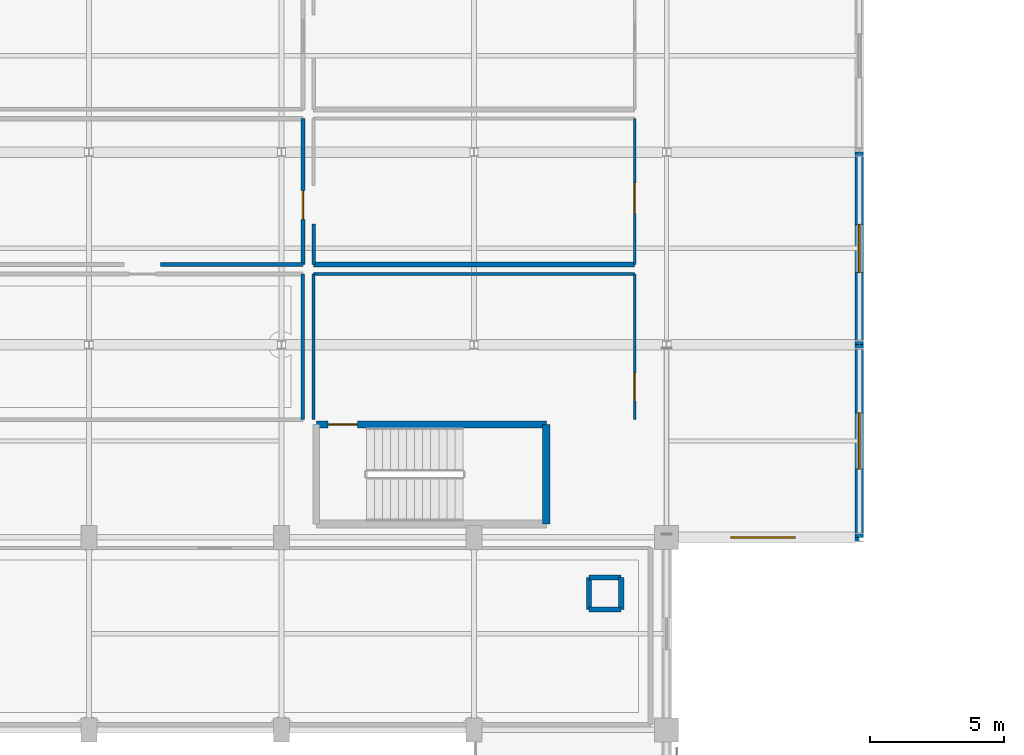
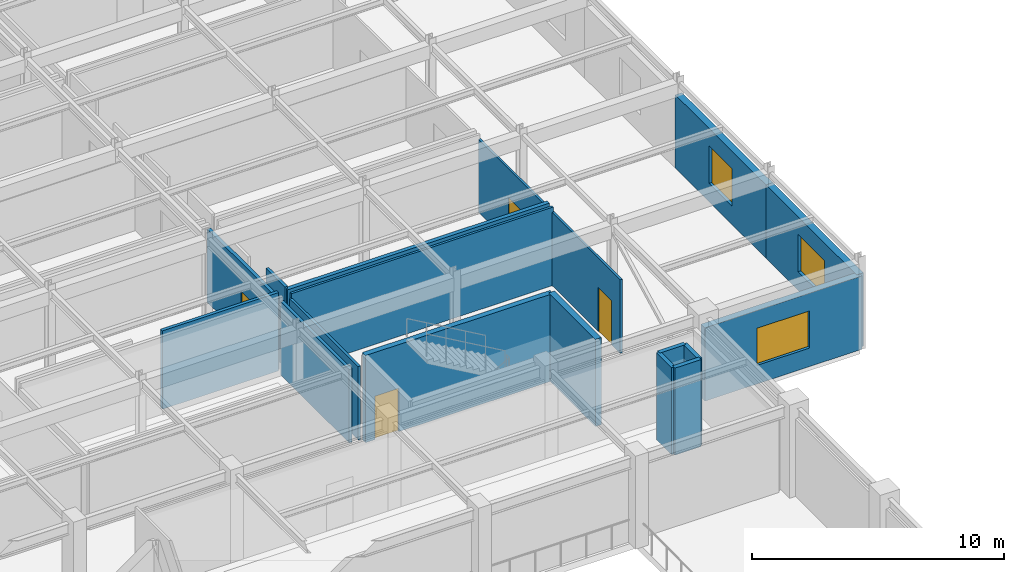
# One storey, part 74 of 106: 18 walls, 4 doors, 3 windows, 7 openings.
"""IFC4 building model written with IfcOpenShell, lengths in metres."""

from ifc_helpers import new_model, si_unit, direction, frame, frame_2d, origin, place, context, subcontext, project, spatial, rectangle, extrude, material, layer, layer_set, type_object, element, fill, save


model = new_model("IFC4")

# Units and contexts
model_context = context("Model", 3, precision=1e-05, world=origin(), true_north=direction((0.0, 1.0)))
body_context = subcontext(model_context, "Body", "Model", "MODEL_VIEW")
ifc_project = project(units=[si_unit("LENGTHUNIT", "METRE"), si_unit("AREAUNIT", "SQUARE_METRE"), si_unit("VOLUMEUNIT", "CUBIC_METRE"), si_unit("PLANEANGLEUNIT", "RADIAN"), si_unit("MASSUNIT", "GRAM", prefix="KILO")], contexts=[model_context])

# Site, building, storey
site_placement = place(None, origin())
site = spatial("IfcSite", under=ifc_project, at=site_placement, CompositionType="ELEMENT")
building_placement = place(site_placement, origin())
building = spatial("IfcBuilding", under=site, at=building_placement, Name="Carrowvane Square Congress Hotel", CompositionType="ELEMENT")
storey_placement = place(building_placement, frame((0.0, 0.0, 10.5)))
storey = spatial("IfcBuildingStorey", under=building, at=storey_placement, Name="L02", CompositionType="ELEMENT", Elevation=10.5)

# Wall, opening, window
ifc_material_1 = material(Name="Standing-seam zinc cladding", Category="metal")
ifc_layer_1 = layer(ifc_material_1, 0.31005859375)
ifc_layer_set_1 = layer_set([ifc_layer_1], Name="Standing-seam zinc cladding")
wall_type_1 = type_object("IfcWallType", Name="WL-EXT-ZN310", PredefinedType="STANDARD", material=ifc_layer_set_1)
wall_1_placement = place(storey_placement, frame((69.199951171875, 70.199951171875, 0.0), z_axis=(0.0, 0.0, 1.0), x_axis=(0.0, -1.0, 0.0)))
wall_1 = element("IfcWall", 1, at=wall_1_placement, inside=storey, type_object=wall_type_1, Name="L02 exterior facade wall 326", PredefinedType="STANDARD", context=body_context, shape_type="SweptSolid", body=[
    extrude(rectangle(XDim=7.199951171875, YDim=0.31005859375, at=frame_2d((3.60009765625, 0.0))), origin(), (0.0, 0.0, 1.0), 3.554931640625),
])
opening_1_placement = place(wall_1_placement, frame((2.699951171875, 0.0, 0.89990234375)))
opening_1 = element("IfcOpeningElement", 2, at=opening_1_placement, cuts=wall_1, Name="Opening W-05", PredefinedType="OPENING", context=body_context, shape_type="SweptSolid", body=[
    extrude(rectangle(XDim=1.800048828125, YDim=1.800048828125, at=frame_2d((0.89990234375, 0.89990234375))), frame((0.0, 0.1650390625, 0.0), z_axis=(0.0, -1.0, 0.0), x_axis=(1.0, 0.0, 0.0)), (0.0, 0.0, 1.0), 0.330078125),
])
ifc_material_2 = material(Name="Double-glazed low-E glass", Category="glass")
window_type_1 = type_object("IfcWindowType", Name="WIN-05", PartitioningType="SINGLE_PANEL", PredefinedType="WINDOW", material=ifc_material_2)
window_1_placement = place(opening_1_placement, origin())
window_1 = element("IfcWindow", 3, at=window_1_placement, inside=storey, type_object=window_type_1, Name="L02 facade window 153", OverallHeight=1.800048828125, OverallWidth=1.800048828125, PartitioningType="SINGLE_PANEL", PredefinedType="WINDOW", context=body_context, shape_type="SweptSolid", body=[
    extrude(rectangle(XDim=1.800048828125, YDim=1.800048828125, at=frame_2d((0.89990234375, 0.89990234375))), frame((0.0, 0.030029296875, 0.0), z_axis=(0.0, -1.0, 0.0), x_axis=(1.0, 0.0, 0.0)), (0.0, 0.0, 1.0), 0.06005859375),
])
fill(opening_1, window_1)

wall_2_placement = place(storey_placement, frame((69.199951171875, 63.0, 0.0), z_axis=(0.0, 0.0, 1.0), x_axis=(0.0, -1.0, 0.0)))
wall_2 = element("IfcWall", 4, at=wall_2_placement, inside=storey, type_object=wall_type_1, Name="L02 exterior facade wall 327", PredefinedType="STANDARD", context=body_context, shape_type="SweptSolid", body=[
    extrude(rectangle(XDim=7.199951171875, YDim=0.31005859375, at=frame_2d((3.60009765625, 0.0))), origin(), (0.0, 0.0, 1.0), 3.554931640625),
])
opening_2_placement = place(wall_2_placement, frame((2.550048828125, 0.0, 0.89990234375)))
opening_2 = element("IfcOpeningElement", 5, at=opening_2_placement, cuts=wall_2, Name="Opening W-06", PredefinedType="OPENING", context=body_context, shape_type="SweptSolid", body=[
    extrude(rectangle(XDim=2.10009765625, YDim=1.800048828125, at=frame_2d((1.050048828125, 0.89990234375))), frame((0.0, 0.1650390625, 0.0), z_axis=(0.0, -1.0, 0.0), x_axis=(1.0, 0.0, 0.0)), (0.0, 0.0, 1.0), 0.330078125),
])
ifc_material_3 = material(Name="Double-glazed low-E glass", Category="glass")
window_type_2 = type_object("IfcWindowType", Name="WIN-06", PartitioningType="SINGLE_PANEL", PredefinedType="WINDOW", material=ifc_material_3)
window_2_placement = place(opening_2_placement, origin())
window_2 = element("IfcWindow", 6, at=window_2_placement, inside=storey, type_object=window_type_2, Name="L02 facade window 154", OverallHeight=1.800048828125, OverallWidth=2.10009765625, PartitioningType="SINGLE_PANEL", PredefinedType="WINDOW", context=body_context, shape_type="SweptSolid", body=[
    extrude(rectangle(XDim=2.10009765625, YDim=1.800048828125, at=frame_2d((1.050048828125, 0.89990234375))), frame((0.0, 0.030029296875, 0.0), z_axis=(0.0, -1.0, 0.0), x_axis=(1.0, 0.0, 0.0)), (0.0, 0.0, 1.0), 0.06005859375),
])
fill(opening_2, window_2)

wall_3_placement = place(storey_placement, frame((69.199951171875, 55.800048828125, 0.0), z_axis=(0.0, 0.0, 1.0), x_axis=(-1.0, 0.0, 0.0)))
wall_3 = element("IfcWall", 7, at=wall_3_placement, inside=storey, type_object=wall_type_1, Name="L02 exterior facade wall 328", PredefinedType="STANDARD", context=body_context, shape_type="SweptSolid", body=[
    extrude(rectangle(XDim=7.199951171875, YDim=0.31005859375, at=frame_2d((3.60009765625, 0.0))), origin(), (0.0, 0.0, 1.0), 3.554931640625),
])
opening_3_placement = place(wall_3_placement, frame((2.39990234375, 0.0, 0.89990234375)))
opening_3 = element("IfcOpeningElement", 8, at=opening_3_placement, cuts=wall_3, Name="Opening W-07", PredefinedType="OPENING", context=body_context, shape_type="SweptSolid", body=[
    extrude(rectangle(XDim=2.39990234375, YDim=1.800048828125, at=frame_2d((1.199951171875, 0.89990234375))), frame((0.0, 0.1650390625, 0.0), z_axis=(0.0, -1.0, 0.0), x_axis=(1.0, 0.0, 0.0)), (0.0, 0.0, 1.0), 0.330078125),
])
ifc_material_4 = material(Name="Double-glazed low-E glass", Category="glass")
window_type_3 = type_object("IfcWindowType", Name="WIN-07", PartitioningType="SINGLE_PANEL", PredefinedType="WINDOW", material=ifc_material_4)
window_3_placement = place(opening_3_placement, origin())
window_3 = element("IfcWindow", 9, at=window_3_placement, inside=storey, type_object=window_type_3, Name="L02 facade window 155", OverallHeight=1.800048828125, OverallWidth=2.39990234375, PartitioningType="SINGLE_PANEL", PredefinedType="WINDOW", context=body_context, shape_type="SweptSolid", body=[
    extrude(rectangle(XDim=2.39990234375, YDim=1.800048828125, at=frame_2d((1.199951171875, 0.89990234375))), frame((0.0, 0.030029296875, 0.0), z_axis=(0.0, -1.0, 0.0), x_axis=(1.0, 0.0, 0.0)), (0.0, 0.0, 1.0), 0.06005859375),
])
fill(opening_3, window_3)

# Wall, opening, door
ifc_material_5 = material(Name="Acoustic gypsum board", Category="gypsum")
ifc_layer_2 = layer(ifc_material_5, 0.155029296875)
ifc_layer_set_2 = layer_set([ifc_layer_2], Name="Acoustic gypsum board")
wall_type_2 = type_object("IfcWallType", Name="WL-FIR-155", PredefinedType="PARTITIONING", material=ifc_layer_set_2)
wall_4_placement = place(storey_placement, frame((48.39990234375, 71.449951171875, 0.0), z_axis=(0.0, 0.0, 1.0), x_axis=(0.0, -1.0, 0.0)))
wall_4 = element("IfcWall", 10, at=wall_4_placement, inside=storey, type_object=wall_type_2, Name="L02 Holistic Spa Suite 203 partition", PredefinedType="PARTITIONING", context=body_context, shape_type="SweptSolid", body=[
    extrude(rectangle(XDim=5.449951171875, YDim=0.155029296875, at=frame_2d((2.72509765625, 0.0))), origin(), (0.0, 0.0, 1.0), 3.554931640625),
])
opening_4_placement = place(wall_4_placement, frame((2.68505859375, 0.0, 0.0)))
opening_4 = element("IfcOpeningElement", 11, at=opening_4_placement, cuts=wall_4, Name="Opening ID-08", PredefinedType="OPENING", context=body_context, shape_type="SweptSolid", body=[
    extrude(rectangle(XDim=1.080078125, YDim=2.14990234375, at=frame_2d((0.5400390625, 1.074951171875))), frame((0.0, 0.08740234375, 0.0), z_axis=(0.0, -1.0, 0.0), x_axis=(1.0, 0.0, 0.0)), (0.0, 0.0, 1.0), 0.175048828125),
])
ifc_material_6 = material(Name="European oak timber", Category="wood")
door_type_1 = type_object("IfcDoorType", Name="DR-INT-1080x2150", OperationType="NOTDEFINED", PredefinedType="DOOR", material=ifc_material_6)
door_1_placement = place(opening_4_placement, origin())
door_1 = element("IfcDoor", 12, at=door_1_placement, inside=storey, type_object=door_type_1, Name="L02 Holistic Spa Suite 203 entrance door", OperationType="SINGLE_SWING_LEFT", OverallHeight=2.14990234375, OverallWidth=1.080078125, PredefinedType="DOOR", context=body_context, shape_type="SweptSolid", body=[
    extrude(rectangle(XDim=1.080078125, YDim=2.14990234375, at=frame_2d((0.5400390625, 1.074951171875))), frame((0.0, 0.02490234375, 0.0), z_axis=(0.0, -1.0, 0.0), x_axis=(1.0, 0.0, 0.0)), (0.0, 0.0, 1.0), 0.050048828125),
])
fill(opening_4, door_1)

# Walls
ifc_material_7 = material(Name="Acoustic gypsum board", Category="gypsum")
ifc_layer_3 = layer(ifc_material_7, 0.18505859375)
ifc_layer_set_3 = layer_set([ifc_layer_3], Name="Acoustic gypsum board")
wall_type_3 = type_object("IfcWallType", Name="WL-FIR-185", PredefinedType="PARTITIONING", material=ifc_layer_set_3)
wall_5_placement = place(storey_placement, frame((60.800048828125, 66.0, 0.0), z_axis=(0.0, 0.0, 1.0), x_axis=(-1.0, 0.0, 0.0)))
element("IfcWall", 13, at=wall_5_placement, inside=storey, type_object=wall_type_3, Name="L02 Holistic Spa Suite 204 partition", PredefinedType="PARTITIONING", context=body_context, shape_type="SweptSolid", body=[
    extrude(rectangle(XDim=12.0, YDim=0.18505859375, at=frame_2d((6.0, 0.0))), origin(), (0.0, 0.0, 1.0), 3.795654296875),
])
ifc_material_8 = material(Name="Standing-seam zinc cladding", Category="metal")
ifc_layer_4 = layer(ifc_material_8, 0.195068359375)
ifc_layer_set_4 = layer_set([ifc_layer_4], Name="Standing-seam zinc cladding")
wall_type_4 = type_object("IfcWallType", Name="WL-PAR-195", PredefinedType="PARAPET", material=ifc_layer_set_4)
for number, where, z_axis, x_axis, name in (
    (14, (59.10009765625, 53.10009765625, 0.0), (0.0, 0.0, 1.0), (1.0, 0.0, 0.0), "L02 service riser RSR-V1 enclosure S"),
    (15, (60.300048828125, 53.10009765625, 0.0), (0.0, 0.0, 1.0), (0.0, 1.0, 0.0), "L02 service riser RSR-V1 enclosure E"),
    (16, (60.300048828125, 54.300048828125, 0.0), (0.0, 0.0, 1.0), (-1.0, 0.0, 0.0), "L02 service riser RSR-V1 enclosure N"),
    (17, (59.10009765625, 54.300048828125, 0.0), (0.0, 0.0, 1.0), (0.0, -1.0, 0.0), "L02 service riser RSR-V1 enclosure W"),
):
    element("IfcWall", number, at=place(storey_placement, frame(where, z_axis=z_axis, x_axis=x_axis)), inside=storey, type_object=wall_type_4, Name=name, PredefinedType="PARAPET", context=body_context, shape_type="SweptSolid", body=[
        extrude(rectangle(XDim=1.199951171875, YDim=0.195068359375, at=frame_2d((0.60009765625, 0.0))), origin(), (0.0, 0.0, 1.0), 4.219970703125),
    ])

# Wall, opening, door
ifc_material_9 = material(Name="Acoustic gypsum board", Category="gypsum")
ifc_layer_5 = layer(ifc_material_9, 0.097900390625)
ifc_layer_set_5 = layer_set([ifc_layer_5], Name="Acoustic gypsum board")
wall_type_5 = type_object("IfcWallType", Name="WL-PRT-098", PredefinedType="PARTITIONING", material=ifc_layer_set_5)
wall_6_placement = place(storey_placement, frame((60.800048828125, 65.64990234375, 0.0), z_axis=(0.0, 0.0, 1.0), x_axis=(0.0, -1.0, 0.0)))
wall_6 = element("IfcWall", 18, at=wall_6_placement, inside=storey, type_object=wall_type_5, Name="L02 Holistic Spa Suite 202 partition", PredefinedType="PARTITIONING", context=body_context, shape_type="SweptSolid", body=[
    extrude(rectangle(XDim=5.449951171875, YDim=0.097900390625, at=frame_2d((2.72509765625, 0.0))), origin(), (0.0, 0.0, 1.0), 3.554931640625),
])
opening_5_placement = place(wall_6_placement, frame((3.705078125, 0.0, 0.0)))
opening_5 = element("IfcOpeningElement", 19, at=opening_5_placement, cuts=wall_6, Name="Opening ID-07", PredefinedType="OPENING", context=body_context, shape_type="SweptSolid", body=[
    extrude(rectangle(XDim=1.0400390625, YDim=2.1201171875, at=frame_2d((0.52001953125, 1.06005859375))), frame((0.0, 0.058837890625, 0.0), z_axis=(0.0, -1.0, 0.0), x_axis=(1.0, 0.0, 0.0)), (0.0, 0.0, 1.0), 0.117919921875),
])
ifc_material_10 = material(Name="European oak timber", Category="wood")
door_type_2 = type_object("IfcDoorType", Name="DR-INT-1040x2120", OperationType="NOTDEFINED", PredefinedType="DOOR", material=ifc_material_10)
door_2_placement = place(opening_5_placement, origin())
door_2 = element("IfcDoor", 20, at=door_2_placement, inside=storey, type_object=door_type_2, Name="L02 Holistic Spa Suite 202 entrance door", OperationType="SINGLE_SWING_RIGHT", OverallHeight=2.1201171875, OverallWidth=1.0400390625, PredefinedType="DOOR", context=body_context, shape_type="SweptSolid", body=[
    extrude(rectangle(XDim=1.0400390625, YDim=2.1201171875, at=frame_2d((0.52001953125, 1.06005859375))), frame((0.0, 0.02490234375, 0.0), z_axis=(0.0, -1.0, 0.0), x_axis=(1.0, 0.0, 0.0)), (0.0, 0.0, 1.0), 0.050048828125),
])
fill(opening_5, door_2)

wall_7_placement = place(storey_placement, frame((60.800048828125, 71.449951171875, 0.0), z_axis=(0.0, 0.0, 1.0), x_axis=(0.0, -1.0, 0.0)))
wall_7 = element("IfcWall", 21, at=wall_7_placement, inside=storey, type_object=wall_type_5, Name="L02 Holistic Spa Suite 204 partition", PredefinedType="PARTITIONING", context=body_context, shape_type="SweptSolid", body=[
    extrude(rectangle(XDim=5.449951171875, YDim=0.097900390625, at=frame_2d((2.72509765625, 0.0))), origin(), (0.0, 0.0, 1.0), 3.554931640625),
])
opening_6_placement = place(wall_7_placement, frame((2.39990234375, 0.0, 0.0)))
opening_6 = element("IfcOpeningElement", 22, at=opening_6_placement, cuts=wall_7, Name="Opening ID-09", PredefinedType="OPENING", context=body_context, shape_type="SweptSolid", body=[
    extrude(rectangle(XDim=1.14990234375, YDim=2.14990234375, at=frame_2d((0.574951171875, 1.074951171875))), frame((0.0, 0.058837890625, 0.0), z_axis=(0.0, -1.0, 0.0), x_axis=(1.0, 0.0, 0.0)), (0.0, 0.0, 1.0), 0.117919921875),
])
ifc_material_11 = material(Name="European oak timber", Category="wood")
door_type_3 = type_object("IfcDoorType", Name="DR-INT-1150x2150", OperationType="NOTDEFINED", PredefinedType="DOOR", material=ifc_material_11)
door_3_placement = place(opening_6_placement, origin())
door_3 = element("IfcDoor", 23, at=door_3_placement, inside=storey, type_object=door_type_3, Name="L02 Holistic Spa Suite 204 entrance door", OperationType="SINGLE_SWING_RIGHT", OverallHeight=2.14990234375, OverallWidth=1.14990234375, PredefinedType="DOOR", context=body_context, shape_type="SweptSolid", body=[
    extrude(rectangle(XDim=1.14990234375, YDim=2.14990234375, at=frame_2d((0.574951171875, 1.074951171875))), frame((0.0, 0.02490234375, 0.0), z_axis=(0.0, -1.0, 0.0), x_axis=(1.0, 0.0, 0.0)), (0.0, 0.0, 1.0), 0.050048828125),
])
fill(opening_6, door_3)

# Walls
ifc_material_12 = material(Name="Acoustic gypsum board", Category="gypsum")
ifc_layer_6 = layer(ifc_material_12, 0.10791015625)
ifc_layer_set_6 = layer_set([ifc_layer_6], Name="Acoustic gypsum board")
wall_type_6 = type_object("IfcWallType", Name="WL-PRT-108", PredefinedType="PARTITIONING", material=ifc_layer_set_6)
wall_8_placement = place(storey_placement, frame((48.800048828125, 65.64990234375, 0.0), z_axis=(0.0, 0.0, 1.0), x_axis=(1.0, 0.0, 0.0)))
element("IfcWall", 24, at=wall_8_placement, inside=storey, type_object=wall_type_6, Name="L02 Holistic Spa Suite 202 partition", PredefinedType="PARTITIONING", context=body_context, shape_type="SweptSolid", body=[
    extrude(rectangle(XDim=12.0, YDim=0.10791015625, at=frame_2d((6.0, 0.0))), origin(), (0.0, 0.0, 1.0), 3.795654296875),
])
ifc_material_13 = material(Name="Acoustic gypsum board", Category="gypsum")
ifc_layer_7 = layer(ifc_material_13, 0.117919921875)
ifc_layer_set_7 = layer_set([ifc_layer_7], Name="Acoustic gypsum board")
wall_type_7 = type_object("IfcWallType", Name="WL-PRT-118", PredefinedType="PARTITIONING", material=ifc_layer_set_7)
wall_9_placement = place(storey_placement, frame((48.800048828125, 60.199951171875, 0.0), z_axis=(0.0, 0.0, 1.0), x_axis=(0.0, 1.0, 0.0)))
element("IfcWall", 25, at=wall_9_placement, inside=storey, type_object=wall_type_7, Name="L02 Holistic Spa Suite 202 partition", PredefinedType="PARTITIONING", context=body_context, shape_type="SweptSolid", body=[
    extrude(rectangle(XDim=5.449951171875, YDim=0.117919921875, at=frame_2d((2.72509765625, 0.0))), origin(), (0.0, 0.0, 1.0), 3.554931640625),
])
ifc_material_14 = material(Name="Acoustic gypsum board", Category="gypsum")
ifc_layer_8 = layer(ifc_material_14, 0.1279296875)
ifc_layer_set_8 = layer_set([ifc_layer_8], Name="Acoustic gypsum board")
wall_type_8 = type_object("IfcWallType", Name="WL-PRT-128", PredefinedType="PARTITIONING", material=ifc_layer_set_8)
wall_10_placement = place(storey_placement, frame((48.800048828125, 66.0, 0.0), z_axis=(0.0, 0.0, 1.0), x_axis=(0.0, 1.0, 0.0)))
element("IfcWall", 26, at=wall_10_placement, inside=storey, type_object=wall_type_8, Name="L02 Holistic Spa Suite 204 partition", PredefinedType="PARTITIONING", context=body_context, shape_type="SweptSolid", body=[
    extrude(rectangle(XDim=1.5048828125, YDim=0.1279296875, at=frame_2d((0.75244140625, 0.0))), origin(), (0.0, 0.0, 1.0), 3.8984375),
])
ifc_material_15 = material(Name="Acoustic gypsum board", Category="gypsum")
ifc_layer_9 = layer(ifc_material_15, 0.137939453125)
ifc_layer_set_9 = layer_set([ifc_layer_9], Name="Acoustic gypsum board")
wall_type_9 = type_object("IfcWallType", Name="WL-PRT-138", PredefinedType="PARTITIONING", material=ifc_layer_set_9)
wall_11_placement = place(storey_placement, frame((48.39990234375, 65.64990234375, 0.0), z_axis=(0.0, 0.0, 1.0), x_axis=(0.0, -1.0, 0.0)))
element("IfcWall", 27, at=wall_11_placement, inside=storey, type_object=wall_type_9, Name="L02 Holistic Spa Suite 201 partition", PredefinedType="PARTITIONING", context=body_context, shape_type="SweptSolid", body=[
    extrude(rectangle(XDim=5.449951171875, YDim=0.137939453125, at=frame_2d((2.72509765625, 0.0))), origin(), (0.0, 0.0, 1.0), 3.554931640625),
])
ifc_material_16 = material(Name="Acoustic gypsum board", Category="gypsum")
ifc_layer_10 = layer(ifc_material_16, 0.14794921875)
ifc_layer_set_10 = layer_set([ifc_layer_10], Name="Acoustic gypsum board")
wall_type_10 = type_object("IfcWallType", Name="WL-PRT-148", PredefinedType="PARTITIONING", material=ifc_layer_set_10)
wall_12_placement = place(storey_placement, frame((48.39990234375, 66.0, 0.0), z_axis=(0.0, 0.0, 1.0), x_axis=(-1.0, 0.0, 0.0)))
element("IfcWall", 28, at=wall_12_placement, inside=storey, type_object=wall_type_10, Name="L02 Holistic Spa Suite 203 partition", PredefinedType="PARTITIONING", context=body_context, shape_type="SweptSolid", body=[
    extrude(rectangle(XDim=5.31982421875, YDim=0.14794921875, at=frame_2d((2.659912109375, 0.0))), origin(), (0.0, 0.0, 1.0), 3.795654296875),
])

# Wall, opening, door
ifc_material_17 = material(Name="Concrete C40/50", Category="concrete")
ifc_layer_11 = layer(ifc_material_17, 0.25)
ifc_layer_set_11 = layer_set([ifc_layer_11], Name="Concrete C40/50")
wall_type_11 = type_object("IfcWallType", Name="WL-SHR-250", PredefinedType="SHEAR", material=ifc_layer_set_11)
wall_13_placement = place(storey_placement, frame((57.5, 60.02001953125, 0.0), z_axis=(0.0, 0.0, 1.0), x_axis=(-1.0, 0.0, 0.0)))
wall_13 = element("IfcWall", 29, at=wall_13_placement, inside=storey, type_object=wall_type_11, Name="L02 ST7 core wall north", PredefinedType="SHEAR", context=body_context, shape_type="SweptSolid", body=[
    extrude(rectangle(XDim=8.60009765625, YDim=0.25, at=frame_2d((4.300048828125, 0.0))), origin(), (0.0, 0.0, 1.0), 4.219970703125),
])
opening_7_placement = place(wall_13_placement, frame((7.06005859375, 0.0, 0.0)))
opening_7 = element("IfcOpeningElement", 30, at=opening_7_placement, cuts=wall_13, Name="Opening FD-01", PredefinedType="OPENING", context=body_context, shape_type="SweptSolid", body=[
    extrude(rectangle(XDim=1.10009765625, YDim=2.10009765625, at=frame_2d((0.550048828125, 1.050048828125))), frame((0.0, 0.135009765625, 0.0), z_axis=(0.0, -1.0, 0.0), x_axis=(1.0, 0.0, 0.0)), (0.0, 0.0, 1.0), 0.27001953125),
])
ifc_material_18 = material(Name="European oak timber", Category="wood")
door_type_4 = type_object("IfcDoorType", Name="DR-FD60-1100x2100", OperationType="NOTDEFINED", PredefinedType="DOOR", material=ifc_material_18)
door_4_placement = place(opening_7_placement, origin())
door_4 = element("IfcDoor", 31, at=door_4_placement, inside=storey, type_object=door_type_4, Name="L02 ST7 fire door", OperationType="SINGLE_SWING_LEFT", OverallHeight=2.10009765625, OverallWidth=1.10009765625, PredefinedType="DOOR", context=body_context, shape_type="SweptSolid", body=[
    extrude(rectangle(XDim=1.10009765625, YDim=2.10009765625, at=frame_2d((0.550048828125, 1.050048828125))), frame((0.0, 0.02490234375, 0.0), z_axis=(0.0, -1.0, 0.0), x_axis=(1.0, 0.0, 0.0)), (0.0, 0.0, 1.0), 0.050048828125),
])
fill(opening_7, door_4)

# Wall
ifc_material_19 = material(Name="Concrete C40/50", Category="concrete")
ifc_layer_12 = layer(ifc_material_19, 0.27490234375)
ifc_layer_set_12 = layer_set([ifc_layer_12], Name="Concrete C40/50")
wall_type_12 = type_object("IfcWallType", Name="WL-SHR-275", PredefinedType="SHEAR", material=ifc_layer_set_12)
wall_14_placement = place(storey_placement, frame((57.5, 56.300048828125, 0.0), z_axis=(0.0, 0.0, 1.0), x_axis=(0.0, 1.0, 0.0)))
element("IfcWall", 32, at=wall_14_placement, inside=storey, type_object=wall_type_12, Name="L02 ST7 core wall east", PredefinedType="SHEAR", context=body_context, shape_type="SweptSolid", body=[
    extrude(rectangle(XDim=3.719970703125, YDim=0.27490234375, at=frame_2d((1.85986328125, 0.0))), origin(), (0.0, 0.0, 1.0), 4.219970703125),
])

save(model, "model.ifc")
